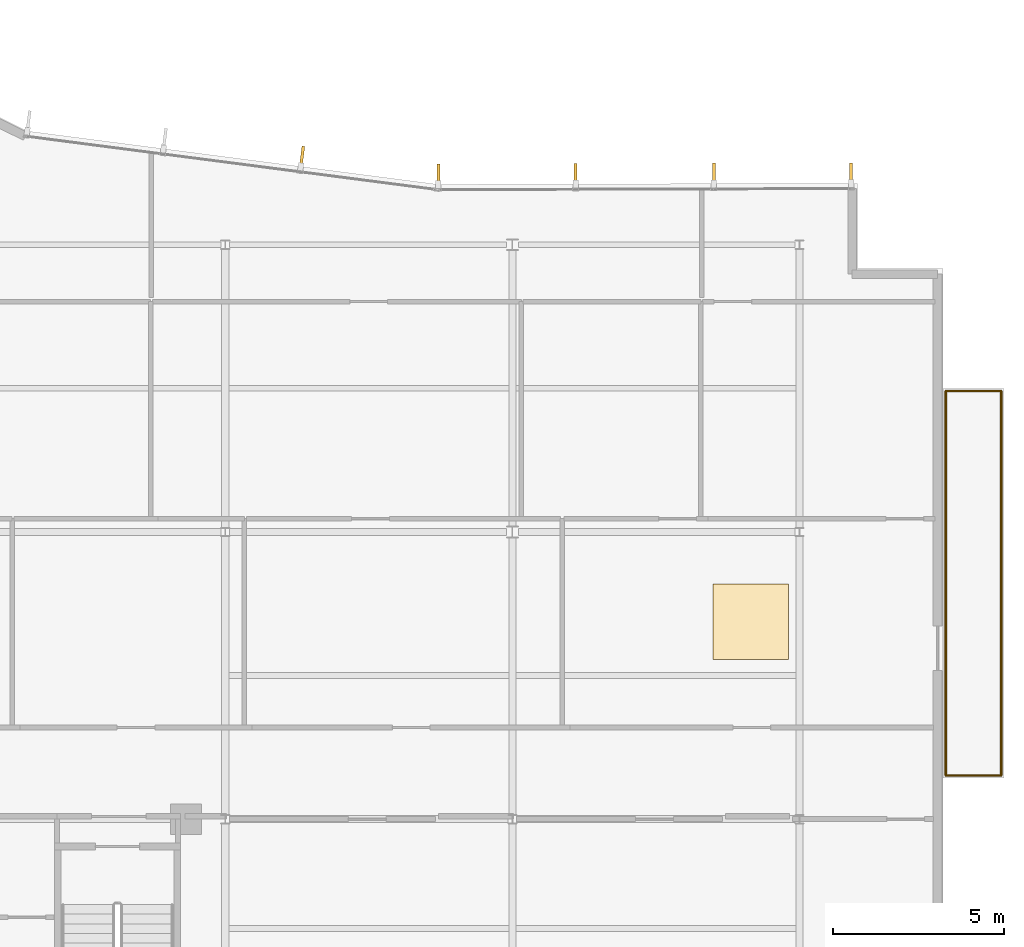
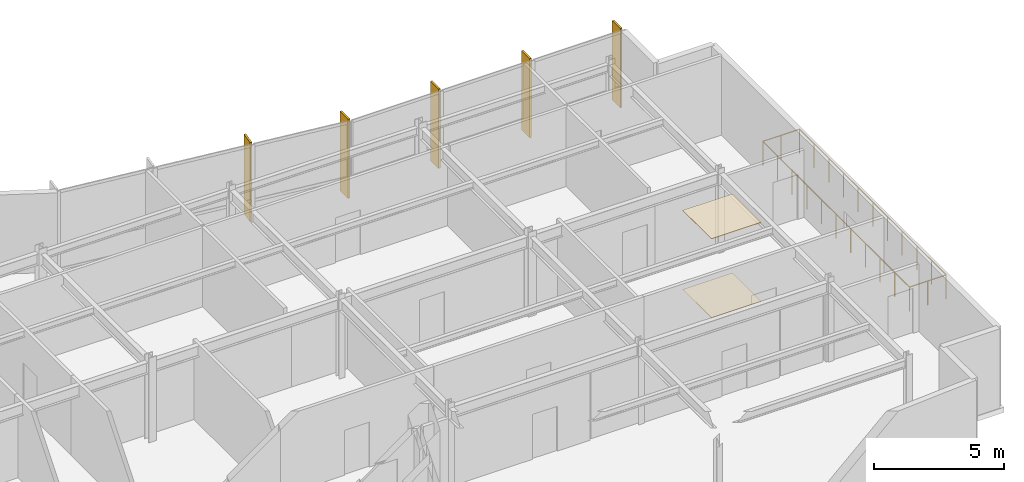
# One storey, part 14 of 15: 5 shading devices, 4 railings, 2 coverings.
"""IFC4 building model written with IfcOpenShell, lengths in metres."""

from ifc_helpers import new_model, si_unit, direction, frame, origin, origin_2d, place, context, subcontext, project, spatial, rectangle, circle, extrude, material, layer, layer_set, type_object, element, save


model = new_model("IFC4")

# Units and contexts
model_context = context("Model", 3, precision=1e-05, world=origin(), true_north=direction((0.0, 1.0)))
body_context = subcontext(model_context, "Body", "Model", "MODEL_VIEW")
ifc_project = project(units=[si_unit("LENGTHUNIT", "METRE"), si_unit("AREAUNIT", "SQUARE_METRE"), si_unit("VOLUMEUNIT", "CUBIC_METRE"), si_unit("PLANEANGLEUNIT", "RADIAN"), si_unit("MASSUNIT", "GRAM", prefix="KILO")], contexts=[model_context])

# Site, building, storey
site_placement = place(None, origin())
site = spatial("IfcSite", under=ifc_project, at=site_placement, CompositionType="ELEMENT")
building_placement = place(site_placement, origin())
building = spatial("IfcBuilding", under=site, at=building_placement, Name="Varnakote Quay Hospital", CompositionType="ELEMENT")
storey_placement = place(building_placement, frame((0.0, 0.0, 248.64990234375)))
storey = spatial("IfcBuildingStorey", under=building, at=storey_placement, Name="L61", CompositionType="ELEMENT", Elevation=248.64990234375)

# Coverings
ifc_material_1 = material(Name="Antimicrobial acoustic mineral ceiling tile", Category="gypsum")
ifc_layer_1 = layer(ifc_material_1, 0.02490234375)
ifc_layer_set_1 = layer_set([ifc_layer_1], Name="Antimicrobial acoustic mineral ceiling tile")
covering_type_1 = type_object("IfcCoveringType", Name="COV-CLIN-CEIL-25", PredefinedType="CEILING", material=ifc_layer_set_1)
covering_1_placement = place(storey_placement, frame((40.570068359375, 17.77490234375, 3.68505859375), z_axis=(0.0, 0.0, 1.0), x_axis=(1.0, 0.0, 0.0)))
element("IfcCovering", 1, at=covering_1_placement, inside=storey, type_object=covering_type_1, Name="L61 Antimicrobial Acoustic Ceiling Tile", PredefinedType="CEILING", context=body_context, shape_type="SweptSolid", body=[
    extrude(rectangle(XDim=2.199951171875, YDim=2.199951171875, at=origin_2d()), origin(), (0.0, 0.0, 1.0), 0.02490234375),
])
ifc_material_2 = material(Name="Seamless clinical sheet vinyl flooring")
ifc_layer_2 = layer(ifc_material_2, 0.011962890625)
ifc_layer_set_2 = layer_set([ifc_layer_2], Name="Seamless clinical sheet vinyl flooring")
covering_type_2 = type_object("IfcCoveringType", Name="COV-CLIN-VINYL-12", PredefinedType="FLOORING", material=ifc_layer_set_2)
covering_2_placement = place(storey_placement, frame((40.570068359375, 17.77490234375, 0.0), z_axis=(0.0, 0.0, 1.0), x_axis=(1.0, 0.0, 0.0)))
element("IfcCovering", 2, at=covering_2_placement, inside=storey, type_object=covering_type_2, Name="L61 Seamless Clinical Vinyl Flooring", PredefinedType="FLOORING", context=body_context, shape_type="SweptSolid", body=[
    extrude(rectangle(XDim=2.199951171875, YDim=2.199951171875, at=origin_2d()), origin(), (0.0, 0.0, 1.0), 0.011962890625),
])

# Railings
ifc_material_3 = material(Name="Anodised aluminium 6063-T6 Bronze", Category="aluminium")
railing_type = type_object("IfcRailingType", Name="RLG-EXT-GUARD-1150", PredefinedType="GUARDRAIL", material=ifc_material_3)
railing_1_placement = place(storey_placement, frame((46.27587890625, 24.52001953125, 0.0)))
element("IfcRailing", 3, at=railing_1_placement, inside=storey, type_object=railing_type, Name="L61 Zigzag Prow Healing Terrace Safety Guard", PredefinedType="GUARDRAIL", context=body_context, shape_type="SweptSolid", body=[
    extrude(circle(Radius=0.02392578125, at=origin_2d()), frame((0.0, 0.0, 1.1259765625), z_axis=(1.0, 0.0, 0.0), x_axis=(0.0, 1.0, 0.0)), (0.0, 0.0, 1.0), 1.6240234375),
    extrude(circle(Radius=0.02099609375, at=origin_2d()), origin(), (0.0, 0.0, 1.0), 1.101806640625),
    extrude(circle(Radius=0.02099609375, at=origin_2d()), frame((0.81201171875, 0.0, 0.0)), (0.0, 0.0, 1.0), 1.101806640625),
    extrude(circle(Radius=0.02099609375, at=origin_2d()), frame((1.6240234375, 0.0, 0.0)), (0.0, 0.0, 1.0), 1.101806640625),
])
railing_2_placement = place(storey_placement, frame((47.89990234375, 24.52001953125, 0.0)))
element("IfcRailing", 4, at=railing_2_placement, inside=storey, type_object=railing_type, Name="L61 Zigzag Prow Healing Terrace Safety Guard", PredefinedType="GUARDRAIL", context=body_context, shape_type="SweptSolid", body=[
    extrude(circle(Radius=0.02392578125, at=origin_2d()), frame((0.0, 0.0, 1.1259765625), z_axis=(0.0, -1.0, 0.0), x_axis=(1.0, 0.0, 0.0)), (0.0, 0.0, 1.0), 11.239990234375),
    extrude(circle(Radius=0.02099609375, at=origin_2d()), origin(), (0.0, 0.0, 1.0), 1.101806640625),
    extrude(circle(Radius=0.02099609375, at=origin_2d()), frame((0.0, -1.1240234375, 0.0)), (0.0, 0.0, 1.0), 1.101806640625),
    extrude(circle(Radius=0.02099609375, at=origin_2d()), frame((0.0, -2.248046875, 0.0)), (0.0, 0.0, 1.0), 1.101806640625),
    extrude(circle(Radius=0.02099609375, at=origin_2d()), frame((0.0, -3.3720703125, 0.0)), (0.0, 0.0, 1.0), 1.101806640625),
    extrude(circle(Radius=0.02099609375, at=origin_2d()), frame((0.0, -4.49609375, 0.0)), (0.0, 0.0, 1.0), 1.101806640625),
    extrude(circle(Radius=0.02099609375, at=origin_2d()), frame((0.0, -5.6201171875, 0.0)), (0.0, 0.0, 1.0), 1.101806640625),
    extrude(circle(Radius=0.02099609375, at=origin_2d()), frame((0.0, -6.743896484375, 0.0)), (0.0, 0.0, 1.0), 1.101806640625),
    extrude(circle(Radius=0.02099609375, at=origin_2d()), frame((0.0, -7.867919921875, 0.0)), (0.0, 0.0, 1.0), 1.101806640625),
    extrude(circle(Radius=0.02099609375, at=origin_2d()), frame((0.0, -8.991943359375, 0.0)), (0.0, 0.0, 1.0), 1.101806640625),
    extrude(circle(Radius=0.02099609375, at=origin_2d()), frame((0.0, -10.115966796875, 0.0)), (0.0, 0.0, 1.0), 1.101806640625),
    extrude(circle(Radius=0.02099609375, at=origin_2d()), frame((0.0, -11.239990234375, 0.0)), (0.0, 0.0, 1.0), 1.101806640625),
])
railing_3_placement = place(storey_placement, frame((47.89990234375, 13.280029296875, 0.0)))
element("IfcRailing", 5, at=railing_3_placement, inside=storey, type_object=railing_type, Name="L61 Zigzag Prow Healing Terrace Safety Guard", PredefinedType="GUARDRAIL", context=body_context, shape_type="SweptSolid", body=[
    extrude(circle(Radius=0.02392578125, at=origin_2d()), frame((0.0, 0.0, 1.1259765625), z_axis=(-1.0, 0.0, 0.0), x_axis=(0.0, -1.0, 0.0)), (0.0, 0.0, 1.0), 1.6240234375),
    extrude(circle(Radius=0.02099609375, at=origin_2d()), origin(), (0.0, 0.0, 1.0), 1.101806640625),
    extrude(circle(Radius=0.02099609375, at=origin_2d()), frame((-0.81201171875, 0.0, 0.0)), (0.0, 0.0, 1.0), 1.101806640625),
    extrude(circle(Radius=0.02099609375, at=origin_2d()), frame((-1.6240234375, 0.0, 0.0)), (0.0, 0.0, 1.0), 1.101806640625),
])
railing_4_placement = place(storey_placement, frame((46.27587890625, 13.280029296875, 0.0)))
element("IfcRailing", 6, at=railing_4_placement, inside=storey, type_object=railing_type, Name="L61 Zigzag Prow Healing Terrace Safety Guard", PredefinedType="GUARDRAIL", context=body_context, shape_type="SweptSolid", body=[
    extrude(circle(Radius=0.02392578125, at=origin_2d()), frame((0.0, 0.0, 1.1259765625), z_axis=(0.0, 1.0, 0.0), x_axis=(-1.0, 0.0, 0.0)), (0.0, 0.0, 1.0), 11.239990234375),
    extrude(circle(Radius=0.02099609375, at=origin_2d()), origin(), (0.0, 0.0, 1.0), 1.101806640625),
    extrude(circle(Radius=0.02099609375, at=origin_2d()), frame((0.0, 1.1240234375, 0.0)), (0.0, 0.0, 1.0), 1.101806640625),
    extrude(circle(Radius=0.02099609375, at=origin_2d()), frame((0.0, 2.248046875, 0.0)), (0.0, 0.0, 1.0), 1.101806640625),
    extrude(circle(Radius=0.02099609375, at=origin_2d()), frame((0.0, 3.3720703125, 0.0)), (0.0, 0.0, 1.0), 1.101806640625),
    extrude(circle(Radius=0.02099609375, at=origin_2d()), frame((0.0, 4.49609375, 0.0)), (0.0, 0.0, 1.0), 1.101806640625),
    extrude(circle(Radius=0.02099609375, at=origin_2d()), frame((0.0, 5.6201171875, 0.0)), (0.0, 0.0, 1.0), 1.101806640625),
    extrude(circle(Radius=0.02099609375, at=origin_2d()), frame((0.0, 6.743896484375, 0.0)), (0.0, 0.0, 1.0), 1.101806640625),
    extrude(circle(Radius=0.02099609375, at=origin_2d()), frame((0.0, 7.867919921875, 0.0)), (0.0, 0.0, 1.0), 1.101806640625),
    extrude(circle(Radius=0.02099609375, at=origin_2d()), frame((0.0, 8.991943359375, 0.0)), (0.0, 0.0, 1.0), 1.101806640625),
    extrude(circle(Radius=0.02099609375, at=origin_2d()), frame((0.0, 10.115966796875, 0.0)), (0.0, 0.0, 1.0), 1.101806640625),
    extrude(circle(Radius=0.02099609375, at=origin_2d()), frame((0.0, 11.239990234375, 0.0)), (0.0, 0.0, 1.0), 1.101806640625),
])

# Shading devices
ifc_material_4 = material(Name="Anodised aluminium 6063-T6 Bronze", Category="aluminium")
ifc_layer_3 = layer(ifc_material_4, 0.0849609375)
ifc_layer_set_3 = layer_set([ifc_layer_3], Name="Anodised aluminium 6063-T6 Bronze")
shading_device_type = type_object("IfcShadingDeviceType", Name="SHD-BRONZE-FIN-620", PredefinedType="USERDEFINED", material=ifc_layer_set_3)
for number, where, z_axis, x_axis, name in (
    (7, (43.50634765625, 30.889404296875, 0.0), (0.0, 0.0, 1.0), (0.002617990887, -0.999996573056, 0.0), "L61 Anodised Bronze Vertical Shading FIN"),
    (8, (39.494140625, 30.879150390625, 0.0), (0.0, 0.0, 1.0), (0.002617990887, -0.999996573056, 0.0), "L61 Anodised Bronze Vertical Shading FIN"),
    (9, (35.449462890625, 30.868408203125, 0.0), (0.0, 0.0, 1.0), (0.002617990887, -0.999996573056, 0.0), "L61 Anodised Bronze Vertical Shading FIN"),
    (10, (31.437255859375, 30.858154296875, 0.0), (0.0, 0.0, 1.0), (0.002617990887, -0.999996573056, 0.0), "L61 Anodised Bronze Vertical Shading FIN"),
    (11, (27.447509765625, 31.3759765625, 0.0), (0.0, 0.0, 1.0), (-0.128795596578, -0.991671162383, 0.0), "L61 Anodised Bronze Vertical Shading FIN"),
):
    element("IfcShadingDevice", number, at=place(storey_placement, frame(where, z_axis=z_axis, x_axis=x_axis)), inside=storey, type_object=shading_device_type, Name=name, ObjectType="FIN", PredefinedType="USERDEFINED", context=body_context, shape_type="SweptSolid", body=[
        extrude(rectangle(XDim=0.6201171875, YDim=0.0849609375, at=origin_2d()), origin(), (0.0, 0.0, 1.0), 3.7099609375),
    ])

save(model, "model.ifc")
